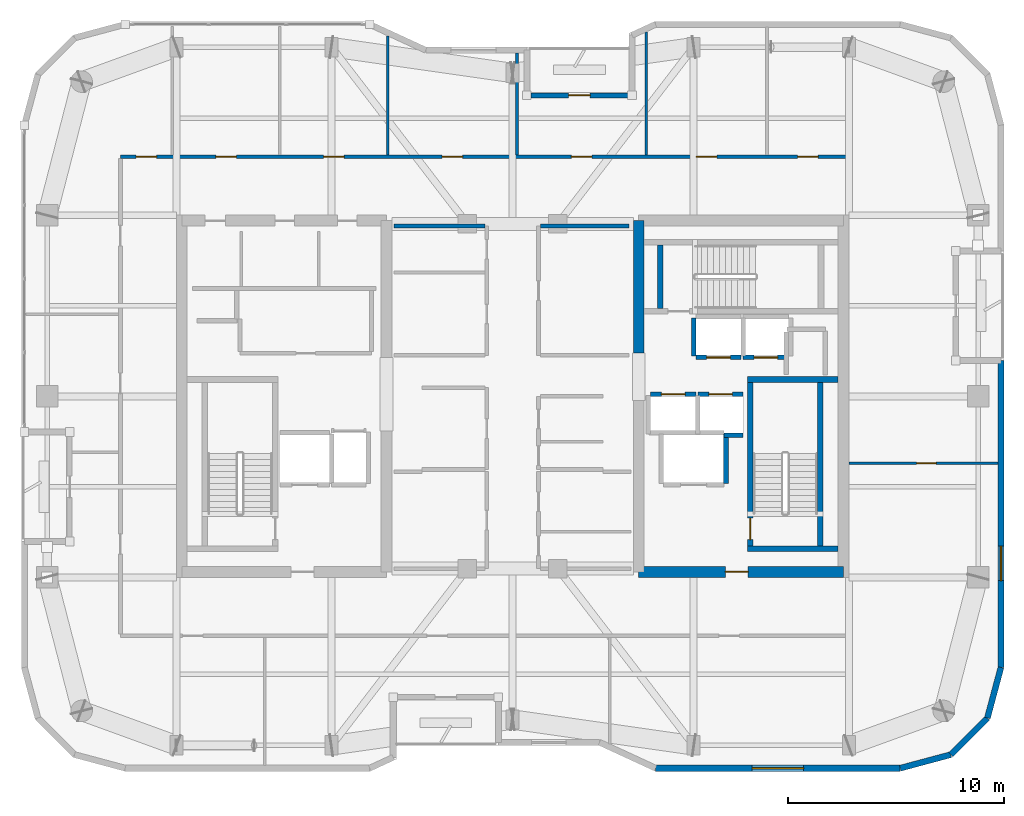
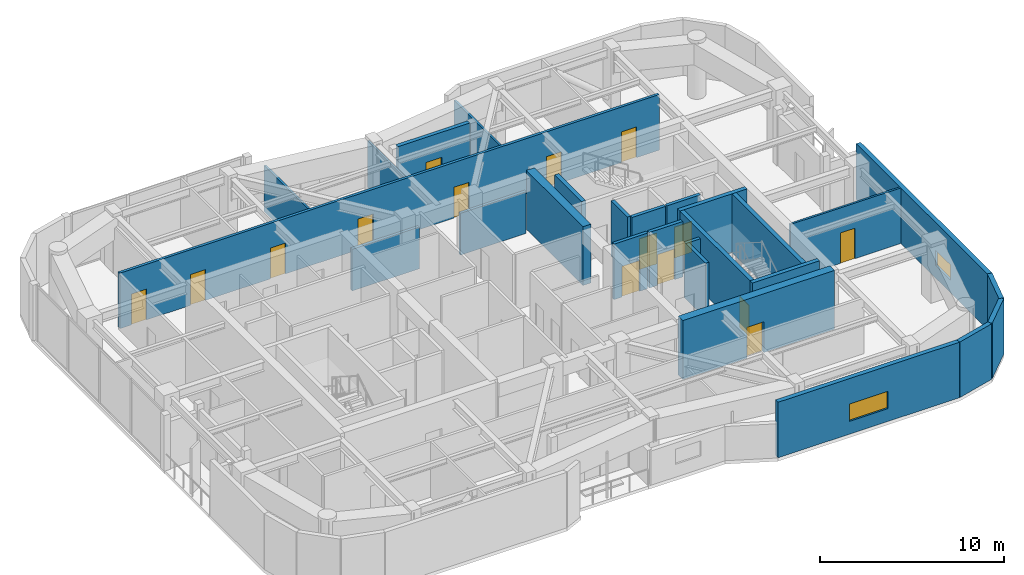
# One storey, part 12 of 15: 27 walls, 15 doors, 2 windows, 17 openings.
"""IFC4 building model written with IfcOpenShell, lengths in metres."""

from ifc_helpers import new_model, si_unit, direction, frame, frame_2d, origin, place, context, subcontext, project, spatial, rectangle, extrude, material, layer, layer_set, type_object, element, fill, save


model = new_model("IFC4")

# Units and contexts
model_context = context("Model", 3, precision=1e-05, world=origin(), true_north=direction((0.0, 1.0)))
body_context = subcontext(model_context, "Body", "Model", "MODEL_VIEW")
ifc_project = project(units=[si_unit("LENGTHUNIT", "METRE"), si_unit("AREAUNIT", "SQUARE_METRE"), si_unit("VOLUMEUNIT", "CUBIC_METRE"), si_unit("PLANEANGLEUNIT", "RADIAN"), si_unit("MASSUNIT", "GRAM", prefix="KILO")], contexts=[model_context])

# Site, building, storey
site_placement = place(None, origin())
site = spatial("IfcSite", under=ifc_project, at=site_placement, CompositionType="ELEMENT")
building_placement = place(site_placement, origin())
building = spatial("IfcBuilding", under=site, at=building_placement, Name="Kiyonajd Concourse Tower", CompositionType="ELEMENT")
storey_placement = place(building_placement, frame((0.0, 0.0, 266.699951171875)))
storey = spatial("IfcBuildingStorey", under=building, at=storey_placement, Name="L67", CompositionType="ELEMENT", Elevation=266.699951171875)

# Wall
ifc_material_1 = material(Name="Concrete C60/75", Category="concrete")
ifc_layer_1 = layer(ifc_material_1, 0.5)
ifc_layer_set_1 = layer_set([ifc_layer_1], Name="Concrete C60/75")
wall_type_1 = type_object("IfcWallType", Name="WL-CORE-500", PredefinedType="SHEAR", material=ifc_layer_set_1)
wall_1_placement = place(storey_placement, frame((53.85009765625, 38.0, 0.0), z_axis=(0.0, 0.0, 1.0), x_axis=(0.0, 1.0, 0.0)))
element("IfcWall", 1, at=wall_1_placement, inside=storey, type_object=wall_type_1, Name="L67 East Core Inner North Shear Wall", PredefinedType="SHEAR", context=body_context, shape_type="SweptSolid", body=[
    extrude(rectangle(XDim=6.14990234375, YDim=0.5, at=frame_2d((3.074951171875, 0.0))), origin(), (0.0, 0.0, 1.0), 3.900146484375),
])

# Wall, opening, door
wall_2_placement = place(storey_placement, frame((53.85009765625, 27.85009765625, 0.0), z_axis=(0.0, 0.0, 1.0), x_axis=(1.0, 0.0, 0.0)))
wall_2 = element("IfcWall", 2, at=wall_2_placement, inside=storey, type_object=wall_type_1, Name="L67 East Core South Shear Wall", PredefinedType="SHEAR", context=body_context, shape_type="SweptSolid", body=[
    extrude(rectangle(XDim=9.5, YDim=0.5, at=frame_2d((4.75, 0.0))), origin(), (0.0, 0.0, 1.0), 3.900146484375),
])
opening_1_placement = place(wall_2_placement, frame((4.02490234375, 0.0, 0.0)))
opening_1 = element("IfcOpeningElement", 3, at=opening_1_placement, cuts=wall_2, Name="Opening DF5", PredefinedType="OPENING", context=body_context, shape_type="SweptSolid", body=[
    extrude(rectangle(XDim=1.050048828125, YDim=2.0400390625, at=frame_2d((0.52490234375, 1.02001953125))), frame((0.0, 0.260009765625, 0.0), z_axis=(0.0, -1.0, 0.0), x_axis=(1.0, 0.0, 0.0)), (0.0, 0.0, 1.0), 0.52001953125),
])
ifc_material_2 = material(Name="Brushed Stainless Steel Cab Assembly", Category="steel")
door_type_1 = type_object("IfcDoorType", Name="DR-FD45-1050", OperationType="NOTDEFINED", PredefinedType="DOOR", material=ifc_material_2)
door_1_placement = place(opening_1_placement, origin())
door_1 = element("IfcDoor", 4, at=door_1_placement, inside=storey, type_object=door_type_1, Name="L67 Firefighting Lift Lobby E Smoke Door", OperationType="SINGLE_SWING_RIGHT", OverallHeight=2.0400390625, OverallWidth=1.050048828125, PredefinedType="DOOR", context=body_context, shape_type="SweptSolid", body=[
    extrude(rectangle(XDim=1.050048828125, YDim=2.0400390625, at=frame_2d((0.52490234375, 1.02001953125))), frame((0.0, 0.02490234375, 0.0), z_axis=(0.0, -1.0, 0.0), x_axis=(1.0, 0.0, 0.0)), (0.0, 0.0, 1.0), 0.050048828125),
])
fill(opening_1, door_1)

# Wall, opening, window
ifc_material_3 = material(Name="Precast concrete C50/60", Category="concrete")
ifc_layer_2 = layer(ifc_material_3, 0.280029296875)
ifc_layer_set_2 = layer_set([ifc_layer_2], Name="Precast concrete C50/60")
wall_type_2 = type_object("IfcWallType", Name="WL-EXT-280", PredefinedType="SOLIDWALL", material=ifc_layer_set_2)
wall_3_placement = place(storey_placement, frame((70.659912109375, 37.659912109375, 0.0), z_axis=(0.0, 0.0, 1.0), x_axis=(0.0, -1.0, 0.0)))
wall_3 = element("IfcWall", 5, at=wall_3_placement, inside=storey, type_object=wall_type_2, Name="L67 Exterior Concrete Frame Wall 24", PredefinedType="SOLIDWALL", context=body_context, shape_type="SweptSolid", body=[
    extrude(rectangle(XDim=14.241455078125, YDim=0.280029296875, at=frame_2d((7.12060546875, 0.0))), origin(), (0.0, 0.0, 1.0), 3.679931640625),
])
opening_2_placement = place(wall_3_placement, frame((8.611083984375, 0.0, 0.85009765625)))
opening_2 = element("IfcOpeningElement", 6, at=opening_2_placement, cuts=wall_3, Name="Opening WN6", PredefinedType="OPENING", context=body_context, shape_type="SweptSolid", body=[
    extrude(rectangle(XDim=1.60009765625, YDim=1.0, at=frame_2d((0.800048828125, 0.5))), frame((0.0, 0.14990234375, 0.0), z_axis=(0.0, -1.0, 0.0), x_axis=(1.0, 0.0, 0.0)), (0.0, 0.0, 1.0), 0.300048828125),
])
ifc_material_4 = material(Name="Double Low-E Insulated Glass", Category="glass")
window_type_1 = type_object("IfcWindowType", Name="WN-VIS-1600x1000", PartitioningType="SINGLE_PANEL", PredefinedType="WINDOW", material=ifc_material_4)
window_1_placement = place(opening_2_placement, origin())
window_1 = element("IfcWindow", 7, at=window_1_placement, inside=storey, type_object=window_type_1, Name="L67 Modular Facade Vision Window 24", OverallHeight=1.0, OverallWidth=1.60009765625, PartitioningType="SINGLE_PANEL", PredefinedType="WINDOW", context=body_context, shape_type="SweptSolid", body=[
    extrude(rectangle(XDim=1.60009765625, YDim=1.0, at=frame_2d((0.800048828125, 0.5))), frame((0.0, 0.030029296875, 0.0), z_axis=(0.0, -1.0, 0.0), x_axis=(1.0, 0.0, 0.0)), (0.0, 0.0, 1.0), 0.06005859375),
])
fill(opening_2, window_1)

# Walls
wall_4_placement = place(storey_placement, frame((70.659912109375, 23.41845703125, 0.0), z_axis=(0.0, 0.0, 1.0), x_axis=(-0.258751159445, -0.965944013639, 0.0)))
element("IfcWall", 8, at=wall_4_placement, inside=storey, type_object=wall_type_2, Name="L67 Exterior Concrete Frame Wall 25", PredefinedType="SOLIDWALL", context=body_context, shape_type="SweptSolid", body=[
    extrude(rectangle(XDim=2.4287109375, YDim=0.280029296875, at=frame_2d((1.21435546875, 0.0))), origin(), (0.0, 0.0, 1.0), 3.679931640625),
])
wall_5_placement = place(storey_placement, frame((70.031494140625, 21.072509765625, 0.0), z_axis=(0.0, 0.0, 1.0), x_axis=(-0.707106781187, -0.707106781187, 0.0)))
element("IfcWall", 9, at=wall_5_placement, inside=storey, type_object=wall_type_2, Name="L67 Exterior Concrete Frame Wall 26", PredefinedType="SOLIDWALL", context=body_context, shape_type="SweptSolid", body=[
    extrude(rectangle(XDim=2.409912109375, YDim=0.280029296875, at=frame_2d((1.205078125, 0.0))), origin(), (0.0, 0.0, 1.0), 3.679931640625),
])
wall_6_placement = place(storey_placement, frame((68.327392578125, 19.368408203125, 0.0), z_axis=(0.0, 0.0, 1.0), x_axis=(-0.965937282298, -0.25877628691, 0.0)))
element("IfcWall", 10, at=wall_6_placement, inside=storey, type_object=wall_type_2, Name="L67 Exterior Concrete Frame Wall 27", PredefinedType="SOLIDWALL", context=body_context, shape_type="SweptSolid", body=[
    extrude(rectangle(XDim=2.428466796875, YDim=0.280029296875, at=frame_2d((1.21435546875, 0.0))), origin(), (0.0, 0.0, 1.0), 3.679931640625),
])

# Wall, opening, window
wall_7_placement = place(storey_placement, frame((65.981689453125, 18.739990234375, 0.0), z_axis=(0.0, 0.0, 1.0), x_axis=(-1.0, 0.0, 0.0)))
wall_7 = element("IfcWall", 11, at=wall_7_placement, inside=storey, type_object=wall_type_2, Name="L67 Exterior Concrete Frame Wall 28", PredefinedType="SOLIDWALL", context=body_context, shape_type="SweptSolid", body=[
    extrude(rectangle(XDim=11.35107421875, YDim=0.280029296875, at=frame_2d((5.675537109375, 0.0))), origin(), (0.0, 0.0, 1.0), 3.679931640625),
])
opening_3_placement = place(wall_7_placement, frame((4.47509765625, 0.0, 0.85009765625)))
opening_3 = element("IfcOpeningElement", 12, at=opening_3_placement, cuts=wall_7, Name="Opening WN4", PredefinedType="OPENING", context=body_context, shape_type="SweptSolid", body=[
    extrude(rectangle(XDim=2.39990234375, YDim=1.14990234375, at=frame_2d((1.199951171875, 0.574951171875))), frame((0.0, 0.14990234375, 0.0), z_axis=(0.0, -1.0, 0.0), x_axis=(1.0, 0.0, 0.0)), (0.0, 0.0, 1.0), 0.300048828125),
])
window_type_2 = type_object("IfcWindowType", Name="WN-VIS-2400x1150", PartitioningType="SINGLE_PANEL", PredefinedType="WINDOW", material=ifc_material_4)
window_2_placement = place(opening_3_placement, origin())
window_2 = element("IfcWindow", 13, at=window_2_placement, inside=storey, type_object=window_type_2, Name="L67 Modular Facade Vision Window 28", OverallHeight=1.14990234375, OverallWidth=2.39990234375, PartitioningType="SINGLE_PANEL", PredefinedType="WINDOW", context=body_context, shape_type="SweptSolid", body=[
    extrude(rectangle(XDim=2.39990234375, YDim=1.14990234375, at=frame_2d((1.199951171875, 0.574951171875))), frame((0.0, 0.030029296875, 0.0), z_axis=(0.0, -1.0, 0.0), x_axis=(1.0, 0.0, 0.0)), (0.0, 0.0, 1.0), 0.06005859375),
])
fill(opening_3, window_2)

# Wall, opening, door
ifc_layer_3 = layer(ifc_material_3, 0.239990234375)
ifc_layer_set_3 = layer_set([ifc_layer_3], Name="Precast concrete C50/60")
wall_type_3 = type_object("IfcWallType", Name="WL-LOG-240", PredefinedType="SOLIDWALL", material=ifc_layer_set_3)
wall_8_placement = place(storey_placement, frame((48.85498046875, 49.9599609375, 0.0), z_axis=(0.0, 0.0, 1.0), x_axis=(1.0, 0.0, 0.0)))
wall_8 = element("IfcWall", 14, at=wall_8_placement, inside=storey, type_object=wall_type_3, Name="L67 Recessed Loggia Thermal Wall LOG-N", PredefinedType="SOLIDWALL", context=body_context, shape_type="SweptSolid", body=[
    extrude(rectangle(XDim=4.489990234375, YDim=0.239990234375, at=frame_2d((2.2451171875, 0.0))), origin(), (0.0, 0.0, 1.0), 3.679931640625),
])
opening_4_placement = place(wall_8_placement, frame((1.7451171875, 0.0, 0.0)))
opening_4 = element("IfcOpeningElement", 15, at=opening_4_placement, cuts=wall_8, Name="Opening DL1", PredefinedType="OPENING", context=body_context, shape_type="SweptSolid", body=[
    extrude(rectangle(XDim=1.0, YDim=2.02001953125, at=frame_2d((0.5, 1.010009765625))), frame((0.0, 0.1298828125, 0.0), z_axis=(0.0, -1.0, 0.0), x_axis=(1.0, 0.0, 0.0)), (0.0, 0.0, 1.0), 0.260009765625),
])
ifc_material_5 = material(Name="Thermally Broken Anodised Aluminium", Category="aluminium")
door_type_2 = type_object("IfcDoorType", Name="DR-LOG-1000", OperationType="NOTDEFINED", PredefinedType="DOOR", material=ifc_material_5)
door_2_placement = place(opening_4_placement, origin())
door_2 = element("IfcDoor", 16, at=door_2_placement, inside=storey, type_object=door_type_2, Name="L67 Engawa Loggia Access Door LOG-N", OperationType="SINGLE_SWING_RIGHT", OverallHeight=2.02001953125, OverallWidth=1.0, PredefinedType="DOOR", context=body_context, shape_type="SweptSolid", body=[
    extrude(rectangle(XDim=1.0, YDim=2.02001953125, at=frame_2d((0.5, 1.010009765625))), frame((0.0, 0.02490234375, 0.0), z_axis=(0.0, -1.0, 0.0), x_axis=(1.0, 0.0, 0.0)), (0.0, 0.0, 1.0), 0.050048828125),
])
fill(opening_4, door_2)

# Walls
ifc_material_6 = material(Name="Gypsum Board on Cold-Formed Steel Stud", Category="steel")
ifc_layer_4 = layer(ifc_material_6, 0.125)
ifc_layer_set_4 = layer_set([ifc_layer_4], Name="Gypsum Board on Cold-Formed Steel Stud")
wall_type_4 = type_object("IfcWallType", Name="WL-PART-125", PredefinedType="PARTITIONING", material=ifc_layer_set_4)
wall_9_placement = place(storey_placement, frame((42.199951171875, 47.197021484375, 0.0), z_axis=(0.0, 0.0, 1.0), x_axis=(0.0, 1.0, 0.0)))
element("IfcWall", 17, at=wall_9_placement, inside=storey, type_object=wall_type_4, Name="L67 Interior Partition Wall", PredefinedType="PARTITIONING", context=body_context, shape_type="SweptSolid", body=[
    extrude(rectangle(XDim=5.528076171875, YDim=0.125, at=frame_2d((2.76416015625, 0.0))), origin(), (0.0, 0.0, 1.0), 3.04296875),
])
wall_10_placement = place(storey_placement, frame((48.199951171875, 47.197021484375, 0.0), z_axis=(0.0, 0.0, 1.0), x_axis=(0.0, 1.0, 0.0)))
element("IfcWall", 18, at=wall_10_placement, inside=storey, type_object=wall_type_4, Name="L67 Interior Partition Wall", PredefinedType="PARTITIONING", context=body_context, shape_type="SweptSolid", body=[
    extrude(rectangle(XDim=4.72802734375, YDim=0.125, at=frame_2d((2.364013671875, 0.0))), origin(), (0.0, 0.0, 1.0), 3.053955078125),
])
wall_11_placement = place(storey_placement, frame((54.199951171875, 47.197021484375, 0.0), z_axis=(0.0, 0.0, 1.0), x_axis=(0.0, 1.0, 0.0)))
element("IfcWall", 19, at=wall_11_placement, inside=storey, type_object=wall_type_4, Name="L67 Interior Partition Wall", PredefinedType="PARTITIONING", context=body_context, shape_type="SweptSolid", body=[
    extrude(rectangle(XDim=5.712890625, YDim=0.125, at=frame_2d((2.8564453125, 0.0))), origin(), (0.0, 0.0, 1.0), 3.04296875),
])

# Wall, opening, door
wall_12_placement = place(storey_placement, frame((63.60009765625, 32.889892578125, 0.0), z_axis=(0.0, 0.0, 1.0), x_axis=(1.0, 0.0, 0.0)))
wall_12 = element("IfcWall", 20, at=wall_12_placement, inside=storey, type_object=wall_type_4, Name="L67 Interior Partition Wall", PredefinedType="PARTITIONING", context=body_context, shape_type="SweptSolid", body=[
    extrude(rectangle(XDim=6.9248046875, YDim=0.125, at=frame_2d((3.46240234375, 0.0))), origin(), (0.0, 0.0, 1.0), 3.679931640625),
])
opening_5_placement = place(wall_12_placement, frame((3.14990234375, 0.0, 0.0)))
opening_5 = element("IfcOpeningElement", 21, at=opening_5_placement, cuts=wall_12, Name="Opening DI2", PredefinedType="OPENING", context=body_context, shape_type="SweptSolid", body=[
    extrude(rectangle(XDim=0.89990234375, YDim=2.02001953125, at=frame_2d((0.449951171875, 1.010009765625))), frame((0.0, 0.072509765625, 0.0), z_axis=(0.0, -1.0, 0.0), x_axis=(1.0, 0.0, 0.0)), (0.0, 0.0, 1.0), 0.14501953125),
])
ifc_material_7 = material(Name="Natural Oak Acoustic Timber Veneer", Category="wood")
door_type_3 = type_object("IfcDoorType", Name="DR-INT-900", OperationType="NOTDEFINED", PredefinedType="DOOR", material=ifc_material_7)
door_3_placement = place(opening_5_placement, origin())
door_3 = element("IfcDoor", 22, at=door_3_placement, inside=storey, type_object=door_type_3, Name="L67 Interior Door", OperationType="SINGLE_SWING_RIGHT", OverallHeight=2.02001953125, OverallWidth=0.89990234375, PredefinedType="DOOR", context=body_context, shape_type="SweptSolid", body=[
    extrude(rectangle(XDim=0.89990234375, YDim=2.02001953125, at=frame_2d((0.449951171875, 1.010009765625))), frame((0.0, 0.02490234375, 0.0), z_axis=(0.0, -1.0, 0.0), x_axis=(1.0, 0.0, 0.0)), (0.0, 0.0, 1.0), 0.050048828125),
])
fill(opening_5, door_3)

# Wall
ifc_layer_5 = layer(ifc_material_6, 0.2099609375)
ifc_layer_set_5 = layer_set([ifc_layer_5], Name="Gypsum Board on Cold-Formed Steel Stud")
wall_type_5 = type_object("IfcWallType", Name="WL-SHAFT-210", PredefinedType="PARTITIONING", material=ifc_layer_set_5)
wall_13_placement = place(storey_placement, frame((57.89990234375, 31.9599609375, 0.0), z_axis=(0.0, 0.0, 1.0), x_axis=(0.0, 1.0, 0.0)))
element("IfcWall", 23, at=wall_13_placement, inside=storey, type_object=wall_type_5, Name="L67 Shaft Enclosure Wall", PredefinedType="PARTITIONING", context=body_context, shape_type="SweptSolid", body=[
    extrude(rectangle(XDim=2.280029296875, YDim=0.2099609375, at=frame_2d((1.14013671875, 0.0))), origin(), (0.0, 0.0, 1.0), 3.679931640625),
])

# Wall, opening, door
wall_14_placement = place(storey_placement, frame((54.39990234375, 36.10009765625, 0.0), z_axis=(0.0, 0.0, 1.0), x_axis=(1.0, 0.0, 0.0)))
wall_14 = element("IfcWall", 24, at=wall_14_placement, inside=storey, type_object=wall_type_5, Name="L67 Shaft Enclosure Wall", PredefinedType="PARTITIONING", context=body_context, shape_type="SweptSolid", body=[
    extrude(rectangle(XDim=2.10009765625, YDim=0.2099609375, at=frame_2d((1.050048828125, 0.0))), origin(), (0.0, 0.0, 1.0), 3.679931640625),
])
opening_6_placement = place(wall_14_placement, frame((0.5, 0.0, 0.0)))
opening_6 = element("IfcOpeningElement", 25, at=opening_6_placement, cuts=wall_14, Name="Opening LD1", PredefinedType="OPENING", context=body_context, shape_type="SweptSolid", body=[
    extrude(rectangle(XDim=1.10009765625, YDim=2.0400390625, at=frame_2d((0.550048828125, 1.02001953125))), frame((0.0, 0.114990234375, 0.0), z_axis=(0.0, -1.0, 0.0), x_axis=(1.0, 0.0, 0.0)), (0.0, 0.0, 1.0), 0.22998046875),
])
door_type_4 = type_object("IfcDoorType", Name="DR-LD-1100", OperationType="DOUBLE_DOOR_SLIDING", PredefinedType="DOOR", material=ifc_material_2)
door_4_placement = place(opening_6_placement, origin())
door_4 = element("IfcDoor", 26, at=door_4_placement, inside=storey, type_object=door_type_4, Name="L67 Lift PL-H1 Sliding Landing Door", OperationType="DOUBLE_DOOR_SLIDING", OverallHeight=2.0400390625, OverallWidth=1.10009765625, PredefinedType="DOOR", context=body_context, shape_type="SweptSolid", body=[
    extrude(rectangle(XDim=1.10009765625, YDim=2.0400390625, at=frame_2d((0.550048828125, 1.02001953125))), frame((0.0, 0.02490234375, 0.0), z_axis=(0.0, -1.0, 0.0), x_axis=(1.0, 0.0, 0.0)), (0.0, 0.0, 1.0), 0.050048828125),
])
fill(opening_6, door_4)

wall_15_placement = place(storey_placement, frame((56.60009765625, 36.10009765625, 0.0), z_axis=(0.0, 0.0, 1.0), x_axis=(1.0, 0.0, 0.0)))
wall_15 = element("IfcWall", 27, at=wall_15_placement, inside=storey, type_object=wall_type_5, Name="L67 Shaft Enclosure Wall", PredefinedType="PARTITIONING", context=body_context, shape_type="SweptSolid", body=[
    extrude(rectangle(XDim=2.099853515625, YDim=0.2099609375, at=frame_2d((1.0498046875, 0.0))), origin(), (0.0, 0.0, 1.0), 3.679931640625),
])
opening_7_placement = place(wall_15_placement, frame((0.5, 0.0, 0.0)))
opening_7 = element("IfcOpeningElement", 28, at=opening_7_placement, cuts=wall_15, Name="Opening LD1", PredefinedType="OPENING", context=body_context, shape_type="SweptSolid", body=[
    extrude(rectangle(XDim=1.10009765625, YDim=2.0400390625, at=frame_2d((0.550048828125, 1.02001953125))), frame((0.0, 0.114990234375, 0.0), z_axis=(0.0, -1.0, 0.0), x_axis=(1.0, 0.0, 0.0)), (0.0, 0.0, 1.0), 0.22998046875),
])
door_5_placement = place(opening_7_placement, origin())
door_5 = element("IfcDoor", 29, at=door_5_placement, inside=storey, type_object=door_type_4, Name="L67 Lift PL-H2 Sliding Landing Door", OperationType="DOUBLE_DOOR_SLIDING", OverallHeight=2.0400390625, OverallWidth=1.10009765625, PredefinedType="DOOR", context=body_context, shape_type="SweptSolid", body=[
    extrude(rectangle(XDim=1.10009765625, YDim=2.0400390625, at=frame_2d((0.550048828125, 1.02001953125))), frame((0.0, 0.02490234375, 0.0), z_axis=(0.0, -1.0, 0.0), x_axis=(1.0, 0.0, 0.0)), (0.0, 0.0, 1.0), 0.050048828125),
])
fill(opening_7, door_5)

# Wall
wall_16_placement = place(storey_placement, frame((57.800048828125, 34.199951171875, 0.0), z_axis=(0.0, 0.0, 1.0), x_axis=(1.0, 0.0, 0.0)))
element("IfcWall", 30, at=wall_16_placement, inside=storey, type_object=wall_type_5, Name="L67 Shaft Enclosure Wall", PredefinedType="PARTITIONING", context=body_context, shape_type="SweptSolid", body=[
    extrude(rectangle(XDim=0.89990234375, YDim=0.2099609375, at=frame_2d((0.449951171875, 0.0))), origin(), (0.0, 0.0, 1.0), 3.679931640625),
])

# Wall, opening, door
wall_17_placement = place(storey_placement, frame((56.5, 37.800048828125, 0.0), z_axis=(0.0, 0.0, 1.0), x_axis=(1.0, 0.0, 0.0)))
wall_17 = element("IfcWall", 31, at=wall_17_placement, inside=storey, type_object=wall_type_5, Name="L67 Shaft Enclosure Wall", PredefinedType="PARTITIONING", context=body_context, shape_type="SweptSolid", body=[
    extrude(rectangle(XDim=2.10009765625, YDim=0.2099609375, at=frame_2d((1.050048828125, 0.0))), origin(), (0.0, 0.0, 1.0), 3.679931640625),
])
opening_8_placement = place(wall_17_placement, frame((0.5, 0.0, 0.0)))
opening_8 = element("IfcOpeningElement", 32, at=opening_8_placement, cuts=wall_17, Name="Opening LD1", PredefinedType="OPENING", context=body_context, shape_type="SweptSolid", body=[
    extrude(rectangle(XDim=1.10009765625, YDim=2.0400390625, at=frame_2d((0.550048828125, 1.02001953125))), frame((0.0, 0.114990234375, 0.0), z_axis=(0.0, -1.0, 0.0), x_axis=(1.0, 0.0, 0.0)), (0.0, 0.0, 1.0), 0.22998046875),
])
door_6_placement = place(opening_8_placement, origin())
door_6 = element("IfcDoor", 33, at=door_6_placement, inside=storey, type_object=door_type_4, Name="L67 Lift PL-H3 Sliding Landing Door", OperationType="DOUBLE_DOOR_SLIDING", OverallHeight=2.0400390625, OverallWidth=1.10009765625, PredefinedType="DOOR", context=body_context, shape_type="SweptSolid", body=[
    extrude(rectangle(XDim=1.10009765625, YDim=2.0400390625, at=frame_2d((0.550048828125, 1.02001953125))), frame((0.0, 0.02490234375, 0.0), z_axis=(0.0, -1.0, 0.0), x_axis=(1.0, 0.0, 0.0)), (0.0, 0.0, 1.0), 0.050048828125),
])
fill(opening_8, door_6)

# Wall
wall_18_placement = place(storey_placement, frame((56.39990234375, 37.860107421875, 0.0), z_axis=(0.0, 0.0, 1.0), x_axis=(0.0, 1.0, 0.0)))
element("IfcWall", 34, at=wall_18_placement, inside=storey, type_object=wall_type_5, Name="L67 Shaft Enclosure Wall", PredefinedType="PARTITIONING", context=body_context, shape_type="SweptSolid", body=[
    extrude(rectangle(XDim=1.77978515625, YDim=0.2099609375, at=frame_2d((0.889892578125, 0.0))), origin(), (0.0, 0.0, 1.0), 3.679931640625),
])

# Wall, opening, door
wall_19_placement = place(storey_placement, frame((58.699951171875, 37.800048828125, 0.0), z_axis=(0.0, 0.0, 1.0), x_axis=(1.0, 0.0, 0.0)))
wall_19 = element("IfcWall", 35, at=wall_19_placement, inside=storey, type_object=wall_type_5, Name="L67 Shaft Enclosure Wall", PredefinedType="PARTITIONING", context=body_context, shape_type="SweptSolid", body=[
    extrude(rectangle(XDim=2.10009765625, YDim=0.2099609375, at=frame_2d((1.050048828125, 0.0))), origin(), (0.0, 0.0, 1.0), 3.679931640625),
])
opening_9_placement = place(wall_19_placement, frame((0.5, 0.0, 0.0)))
opening_9 = element("IfcOpeningElement", 36, at=opening_9_placement, cuts=wall_19, Name="Opening LD1", PredefinedType="OPENING", context=body_context, shape_type="SweptSolid", body=[
    extrude(rectangle(XDim=1.10009765625, YDim=2.0400390625, at=frame_2d((0.550048828125, 1.02001953125))), frame((0.0, 0.114990234375, 0.0), z_axis=(0.0, -1.0, 0.0), x_axis=(1.0, 0.0, 0.0)), (0.0, 0.0, 1.0), 0.22998046875),
])
door_7_placement = place(opening_9_placement, origin())
door_7 = element("IfcDoor", 37, at=door_7_placement, inside=storey, type_object=door_type_4, Name="L67 Lift PL-H4 Sliding Landing Door", OperationType="DOUBLE_DOOR_SLIDING", OverallHeight=2.0400390625, OverallWidth=1.10009765625, PredefinedType="DOOR", context=body_context, shape_type="SweptSolid", body=[
    extrude(rectangle(XDim=1.10009765625, YDim=2.0400390625, at=frame_2d((0.550048828125, 1.02001953125))), frame((0.0, 0.02490234375, 0.0), z_axis=(0.0, -1.0, 0.0), x_axis=(1.0, 0.0, 0.0)), (0.0, 0.0, 1.0), 0.050048828125),
])
fill(opening_9, door_7)

# Walls
ifc_layer_6 = layer(ifc_material_6, 0.169921875)
ifc_layer_set_6 = layer_set([ifc_layer_6], Name="Gypsum Board on Cold-Formed Steel Stud")
wall_type_6 = type_object("IfcWallType", Name="WL-SMK-170", PredefinedType="PARTITIONING", material=ifc_layer_set_6)
wall_20_placement = place(storey_placement, frame((42.5, 43.89990234375, 0.0), z_axis=(0.0, 0.0, 1.0), x_axis=(1.0, 0.0, 0.0)))
element("IfcWall", 38, at=wall_20_placement, inside=storey, type_object=wall_type_6, Name="L67 Interior Partition Wall", PredefinedType="PARTITIONING", context=body_context, shape_type="SweptSolid", body=[
    extrude(rectangle(XDim=4.212890625, YDim=0.169921875, at=frame_2d((2.1064453125, 0.0))), origin(), (0.0, 0.0, 1.0), 2.76513671875),
])
wall_21_placement = place(storey_placement, frame((49.287109375, 43.89990234375, 0.0), z_axis=(0.0, 0.0, 1.0), x_axis=(1.0, 0.0, 0.0)))
element("IfcWall", 39, at=wall_21_placement, inside=storey, type_object=wall_type_6, Name="L67 Interior Partition Wall", PredefinedType="PARTITIONING", context=body_context, shape_type="SweptSolid", body=[
    extrude(rectangle(XDim=4.11279296875, YDim=0.169921875, at=frame_2d((2.056396484375, 0.0))), origin(), (0.0, 0.0, 1.0), 2.76513671875),
])

# Wall, openings, doors
wall_22_placement = place(storey_placement, frame((29.800048828125, 47.110107421875, 0.0), z_axis=(0.0, 0.0, 1.0), x_axis=(1.0, 0.0, 0.0)))
wall_22 = element("IfcWall", 40, at=wall_22_placement, inside=storey, type_object=wall_type_6, Name="L67 Interior Partition Wall", PredefinedType="PARTITIONING", context=body_context, shape_type="SweptSolid", body=[
    extrude(rectangle(XDim=33.800048828125, YDim=0.169921875, at=frame_2d((16.89990234375, 0.0))), origin(), (0.0, 0.0, 1.0), 3.679931640625),
])
opening_10_placement = place(wall_22_placement, frame((0.72509765625, 0.0, 0.0)))
opening_10 = element("IfcOpeningElement", 41, at=opening_10_placement, cuts=wall_22, Name="Opening DI1", PredefinedType="OPENING", context=body_context, shape_type="SweptSolid", body=[
    extrude(rectangle(XDim=0.949951171875, YDim=2.0400390625, at=frame_2d((0.47509765625, 1.02001953125))), frame((0.0, 0.094970703125, 0.0), z_axis=(0.0, -1.0, 0.0), x_axis=(1.0, 0.0, 0.0)), (0.0, 0.0, 1.0), 0.18994140625),
])
opening_11_placement = place(wall_22_placement, frame((4.425048828125, 0.0, 0.0)))
opening_11 = element("IfcOpeningElement", 42, at=opening_11_placement, cuts=wall_22, Name="Opening DI1", PredefinedType="OPENING", context=body_context, shape_type="SweptSolid", body=[
    extrude(rectangle(XDim=0.949951171875, YDim=2.0400390625, at=frame_2d((0.47509765625, 1.02001953125))), frame((0.0, 0.094970703125, 0.0), z_axis=(0.0, -1.0, 0.0), x_axis=(1.0, 0.0, 0.0)), (0.0, 0.0, 1.0), 0.18994140625),
])
opening_12_placement = place(wall_22_placement, frame((9.425048828125, 0.0, 0.0)))
opening_12 = element("IfcOpeningElement", 43, at=opening_12_placement, cuts=wall_22, Name="Opening DI1", PredefinedType="OPENING", context=body_context, shape_type="SweptSolid", body=[
    extrude(rectangle(XDim=0.949951171875, YDim=2.0400390625, at=frame_2d((0.47509765625, 1.02001953125))), frame((0.0, 0.094970703125, 0.0), z_axis=(0.0, -1.0, 0.0), x_axis=(1.0, 0.0, 0.0)), (0.0, 0.0, 1.0), 0.18994140625),
])
opening_13_placement = place(wall_22_placement, frame((14.925048828125, 0.0, 0.0)))
opening_13 = element("IfcOpeningElement", 44, at=opening_13_placement, cuts=wall_22, Name="Opening DI1", PredefinedType="OPENING", context=body_context, shape_type="SweptSolid", body=[
    extrude(rectangle(XDim=0.949951171875, YDim=2.0400390625, at=frame_2d((0.47509765625, 1.02001953125))), frame((0.0, 0.094970703125, 0.0), z_axis=(0.0, -1.0, 0.0), x_axis=(1.0, 0.0, 0.0)), (0.0, 0.0, 1.0), 0.18994140625),
])
opening_14_placement = place(wall_22_placement, frame((20.925048828125, 0.0, 0.0)))
opening_14 = element("IfcOpeningElement", 45, at=opening_14_placement, cuts=wall_22, Name="Opening DI1", PredefinedType="OPENING", context=body_context, shape_type="SweptSolid", body=[
    extrude(rectangle(XDim=0.949951171875, YDim=2.0400390625, at=frame_2d((0.47509765625, 1.02001953125))), frame((0.0, 0.094970703125, 0.0), z_axis=(0.0, -1.0, 0.0), x_axis=(1.0, 0.0, 0.0)), (0.0, 0.0, 1.0), 0.18994140625),
])
opening_15_placement = place(wall_22_placement, frame((26.72509765625, 0.0, 0.0)))
opening_15 = element("IfcOpeningElement", 46, at=opening_15_placement, cuts=wall_22, Name="Opening DI1", PredefinedType="OPENING", context=body_context, shape_type="SweptSolid", body=[
    extrude(rectangle(XDim=0.949951171875, YDim=2.0400390625, at=frame_2d((0.47509765625, 1.02001953125))), frame((0.0, 0.094970703125, 0.0), z_axis=(0.0, -1.0, 0.0), x_axis=(1.0, 0.0, 0.0)), (0.0, 0.0, 1.0), 0.18994140625),
])
opening_16_placement = place(wall_22_placement, frame((31.425048828125, 0.0, 0.0)))
opening_16 = element("IfcOpeningElement", 47, at=opening_16_placement, cuts=wall_22, Name="Opening DI1", PredefinedType="OPENING", context=body_context, shape_type="SweptSolid", body=[
    extrude(rectangle(XDim=0.949951171875, YDim=2.0400390625, at=frame_2d((0.47509765625, 1.02001953125))), frame((0.0, 0.094970703125, 0.0), z_axis=(0.0, -1.0, 0.0), x_axis=(1.0, 0.0, 0.0)), (0.0, 0.0, 1.0), 0.18994140625),
])
door_type_5 = type_object("IfcDoorType", Name="DR-INT-950", OperationType="NOTDEFINED", PredefinedType="DOOR", material=ifc_material_7)
door_8_placement = place(opening_10_placement, origin())
door_8 = element("IfcDoor", 48, at=door_8_placement, inside=storey, type_object=door_type_5, Name="L67 Interior Door", OperationType="SINGLE_SWING_RIGHT", OverallHeight=2.0400390625, OverallWidth=0.949951171875, PredefinedType="DOOR", context=body_context, shape_type="SweptSolid", body=[
    extrude(rectangle(XDim=0.949951171875, YDim=2.0400390625, at=frame_2d((0.47509765625, 1.02001953125))), frame((0.0, 0.02490234375, 0.0), z_axis=(0.0, -1.0, 0.0), x_axis=(1.0, 0.0, 0.0)), (0.0, 0.0, 1.0), 0.050048828125),
])
fill(opening_10, door_8)
door_9_placement = place(opening_11_placement, origin())
door_9 = element("IfcDoor", 49, at=door_9_placement, inside=storey, type_object=door_type_5, Name="L67 Interior Door", OperationType="SINGLE_SWING_LEFT", OverallHeight=2.0400390625, OverallWidth=0.949951171875, PredefinedType="DOOR", context=body_context, shape_type="SweptSolid", body=[
    extrude(rectangle(XDim=0.949951171875, YDim=2.0400390625, at=frame_2d((0.47509765625, 1.02001953125))), frame((0.0, 0.02490234375, 0.0), z_axis=(0.0, -1.0, 0.0), x_axis=(1.0, 0.0, 0.0)), (0.0, 0.0, 1.0), 0.050048828125),
])
fill(opening_11, door_9)
door_10_placement = place(opening_12_placement, origin())
door_10 = element("IfcDoor", 50, at=door_10_placement, inside=storey, type_object=door_type_5, Name="L67 Interior Door", OperationType="SINGLE_SWING_RIGHT", OverallHeight=2.0400390625, OverallWidth=0.949951171875, PredefinedType="DOOR", context=body_context, shape_type="SweptSolid", body=[
    extrude(rectangle(XDim=0.949951171875, YDim=2.0400390625, at=frame_2d((0.47509765625, 1.02001953125))), frame((0.0, 0.02490234375, 0.0), z_axis=(0.0, -1.0, 0.0), x_axis=(1.0, 0.0, 0.0)), (0.0, 0.0, 1.0), 0.050048828125),
])
fill(opening_12, door_10)
door_11_placement = place(opening_13_placement, origin())
door_11 = element("IfcDoor", 51, at=door_11_placement, inside=storey, type_object=door_type_5, Name="L67 Interior Door", OperationType="SINGLE_SWING_LEFT", OverallHeight=2.0400390625, OverallWidth=0.949951171875, PredefinedType="DOOR", context=body_context, shape_type="SweptSolid", body=[
    extrude(rectangle(XDim=0.949951171875, YDim=2.0400390625, at=frame_2d((0.47509765625, 1.02001953125))), frame((0.0, 0.02490234375, 0.0), z_axis=(0.0, -1.0, 0.0), x_axis=(1.0, 0.0, 0.0)), (0.0, 0.0, 1.0), 0.050048828125),
])
fill(opening_13, door_11)
door_12_placement = place(opening_14_placement, origin())
door_12 = element("IfcDoor", 52, at=door_12_placement, inside=storey, type_object=door_type_5, Name="L67 Interior Door", OperationType="SINGLE_SWING_RIGHT", OverallHeight=2.0400390625, OverallWidth=0.949951171875, PredefinedType="DOOR", context=body_context, shape_type="SweptSolid", body=[
    extrude(rectangle(XDim=0.949951171875, YDim=2.0400390625, at=frame_2d((0.47509765625, 1.02001953125))), frame((0.0, 0.02490234375, 0.0), z_axis=(0.0, -1.0, 0.0), x_axis=(1.0, 0.0, 0.0)), (0.0, 0.0, 1.0), 0.050048828125),
])
fill(opening_14, door_12)
door_13_placement = place(opening_15_placement, origin())
door_13 = element("IfcDoor", 53, at=door_13_placement, inside=storey, type_object=door_type_5, Name="L67 Interior Door", OperationType="SINGLE_SWING_LEFT", OverallHeight=2.0400390625, OverallWidth=0.949951171875, PredefinedType="DOOR", context=body_context, shape_type="SweptSolid", body=[
    extrude(rectangle(XDim=0.949951171875, YDim=2.0400390625, at=frame_2d((0.47509765625, 1.02001953125))), frame((0.0, 0.02490234375, 0.0), z_axis=(0.0, -1.0, 0.0), x_axis=(1.0, 0.0, 0.0)), (0.0, 0.0, 1.0), 0.050048828125),
])
fill(opening_15, door_13)
door_14_placement = place(opening_16_placement, origin())
door_14 = element("IfcDoor", 54, at=door_14_placement, inside=storey, type_object=door_type_5, Name="L67 Interior Door", OperationType="SINGLE_SWING_RIGHT", OverallHeight=2.0400390625, OverallWidth=0.949951171875, PredefinedType="DOOR", context=body_context, shape_type="SweptSolid", body=[
    extrude(rectangle(XDim=0.949951171875, YDim=2.0400390625, at=frame_2d((0.47509765625, 1.02001953125))), frame((0.0, 0.02490234375, 0.0), z_axis=(0.0, -1.0, 0.0), x_axis=(1.0, 0.0, 0.0)), (0.0, 0.0, 1.0), 0.050048828125),
])
fill(opening_16, door_14)

# Walls
ifc_material_8 = material(Name="Concrete C50/60", Category="concrete")
ifc_layer_7 = layer(ifc_material_8, 0.260009765625)
ifc_layer_set_7 = layer_set([ifc_layer_7], Name="Concrete C50/60")
wall_type_7 = type_object("IfcWallType", Name="WL-STAIR-260", PredefinedType="SHEAR", material=ifc_layer_set_7)
for number, where, z_axis, x_axis, name in (
    (55, (58.889892578125, 28.919921875, 0.0), (0.0, 0.0, 1.0), (1.0, 0.0, 0.0), "L67 Stair ST2 Structural South Wall"),
    (56, (58.889892578125, 36.780029296875, 0.0), (0.0, 0.0, 1.0), (1.0, 0.0, 0.0), "L67 Stair ST2 Structural North Wall"),
):
    element("IfcWall", number, at=place(storey_placement, frame(where, z_axis=z_axis, x_axis=x_axis)), inside=storey, type_object=wall_type_7, Name=name, PredefinedType="SHEAR", context=body_context, shape_type="SweptSolid", body=[
        extrude(rectangle(XDim=4.210205078125, YDim=0.260009765625, at=frame_2d((2.10498046875, 0.0))), origin(), (0.0, 0.0, 1.0), 3.900146484375),
    ])

# Wall, opening, door
wall_23_placement = place(storey_placement, frame((59.02001953125, 29.050048828125, 0.0), z_axis=(0.0, 0.0, 1.0), x_axis=(0.0, 1.0, 0.0)))
wall_23 = element("IfcWall", 57, at=wall_23_placement, inside=storey, type_object=wall_type_7, Name="L67 Stair ST2 Structural West Wall", PredefinedType="SHEAR", context=body_context, shape_type="SweptSolid", body=[
    extrude(rectangle(XDim=7.599853515625, YDim=0.260009765625, at=frame_2d((3.7998046875, 0.0))), origin(), (0.0, 0.0, 1.0), 3.900146484375),
])
opening_17_placement = place(wall_23_placement, frame((0.300048828125, 0.0, 0.0)))
opening_17 = element("IfcOpeningElement", 58, at=opening_17_placement, cuts=wall_23, Name="Opening DF1", PredefinedType="OPENING", context=body_context, shape_type="SweptSolid", body=[
    extrude(rectangle(XDim=1.0, YDim=2.0400390625, at=frame_2d((0.5, 1.02001953125))), frame((0.0, 0.139892578125, 0.0), z_axis=(0.0, -1.0, 0.0), x_axis=(1.0, 0.0, 0.0)), (0.0, 0.0, 1.0), 0.280029296875),
])
door_type_6 = type_object("IfcDoorType", Name="DR-FD90-1000", OperationType="NOTDEFINED", PredefinedType="DOOR", material=ifc_material_2)
door_15_placement = place(opening_17_placement, origin())
door_15 = element("IfcDoor", 59, at=door_15_placement, inside=storey, type_object=door_type_6, Name="L67 Stair ST2 FSAE Door", OperationType="SINGLE_SWING_RIGHT", OverallHeight=2.0400390625, OverallWidth=1.0, PredefinedType="DOOR", context=body_context, shape_type="SweptSolid", body=[
    extrude(rectangle(XDim=1.0, YDim=2.0400390625, at=frame_2d((0.5, 1.02001953125))), frame((0.0, 0.02490234375, 0.0), z_axis=(0.0, -1.0, 0.0), x_axis=(1.0, 0.0, 0.0)), (0.0, 0.0, 1.0), 0.050048828125),
])
fill(opening_17, door_15)

# Walls
wall_24_placement = place(storey_placement, frame((62.280029296875, 29.050048828125, 0.0), z_axis=(0.0, 0.0, 1.0), x_axis=(0.0, 1.0, 0.0)))
element("IfcWall", 60, at=wall_24_placement, inside=storey, type_object=wall_type_7, Name="L67 Stair ST2 Structural East Wall", PredefinedType="SHEAR", context=body_context, shape_type="SweptSolid", body=[
    extrude(rectangle(XDim=7.599853515625, YDim=0.260009765625, at=frame_2d((3.7998046875, 0.0))), origin(), (0.0, 0.0, 1.0), 3.900146484375),
])
wall_25_placement = place(storey_placement, frame((54.85009765625, 40.080078125, 0.0), z_axis=(0.0, 0.0, 1.0), x_axis=(0.0, 1.0, 0.0)))
element("IfcWall", 61, at=wall_25_placement, inside=storey, type_object=wall_type_7, Name="L67 Stair ST3 Structural West Wall", PredefinedType="SHEAR", context=body_context, shape_type="SweptSolid", body=[
    extrude(rectangle(XDim=2.93994140625, YDim=0.260009765625, at=frame_2d((1.469970703125, 0.0))), origin(), (0.0, 0.0, 1.0), 3.900146484375),
])

save(model, "model.ifc")
